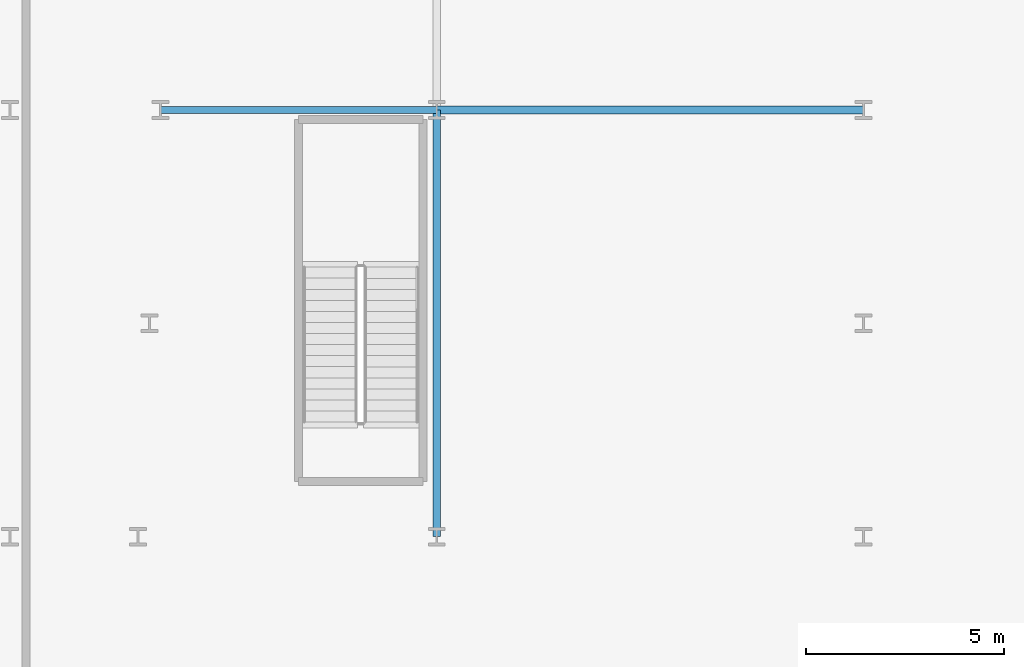
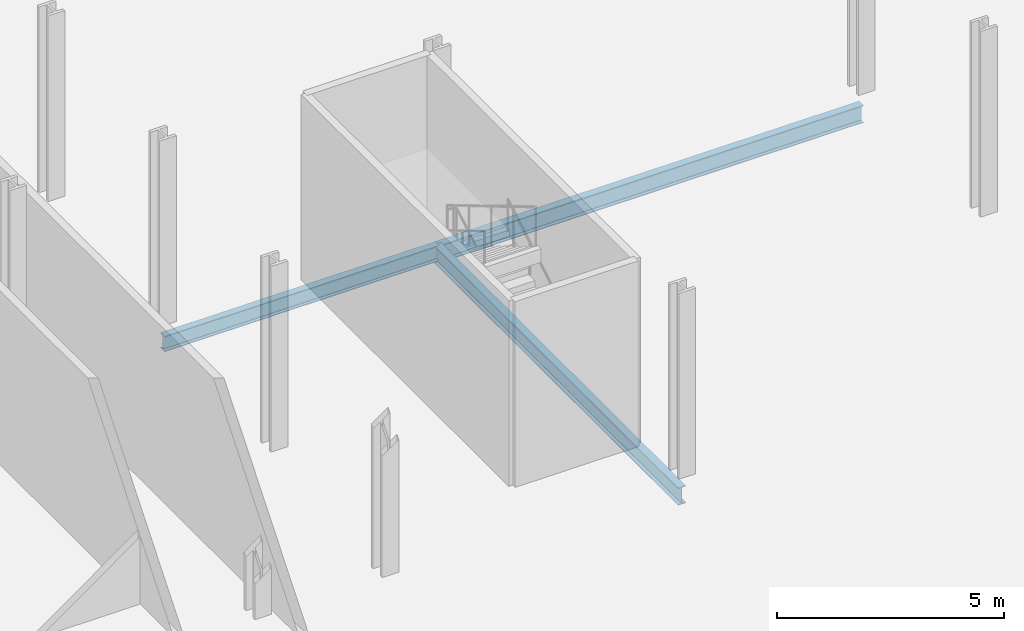
# One storey, part 14 of 47: 3 beams.
"""IFC4 building model written with IfcOpenShell, lengths in metres."""

from ifc_helpers import new_model, si_unit, direction, frame, origin, origin_2d, place, context, subcontext, project, spatial, i_section, extrude, material, material_profile, profile_set, type_object, element, save


model = new_model("IFC4")

# Units and contexts
model_context = context("Model", 3, precision=1e-05, world=origin(), true_north=direction((0.0, 1.0)))
body_context = subcontext(model_context, "Body", "Model", "MODEL_VIEW")
ifc_project = project(units=[si_unit("LENGTHUNIT", "METRE"), si_unit("AREAUNIT", "SQUARE_METRE"), si_unit("VOLUMEUNIT", "CUBIC_METRE"), si_unit("PLANEANGLEUNIT", "RADIAN"), si_unit("MASSUNIT", "GRAM", prefix="KILO")], contexts=[model_context])

# Site, building, storey
site_placement = place(None, origin())
site = spatial("IfcSite", under=ifc_project, at=site_placement, CompositionType="ELEMENT")
building_placement = place(site_placement, origin())
building = spatial("IfcBuilding", under=site, at=building_placement, Name="Kheshtan School and Residences Tower", CompositionType="ELEMENT")
storey_placement = place(building_placement, frame((0.0, 0.0, 7.5)))
storey = spatial("IfcBuildingStorey", under=building, at=storey_placement, Name="L01", CompositionType="ELEMENT", Elevation=7.5)

# Beams
ifc_material = material(Name="Steel ASTM A992 Grade 50", Category="steel")
ifc_material_profile_1 = material_profile(ifc_material, i_section(OverallWidth=0.180908203125, OverallDepth=0.4169921875, WebThickness=0.010986328125, FlangeThickness=0.018310546875, FilletRadius=0.012451171875, at=origin_2d()), Name="W410x85")
ifc_profile_set_1 = profile_set([ifc_material_profile_1], Name="Steel ASTM A992 Grade 50")
beam_type_1 = type_object("IfcBeamType", Name="Beam PB1 W410x85 ASTM A992 Grade 50", PredefinedType="BEAM", material=ifc_profile_set_1)
beam_placement = place(storey_placement, frame((29.81005859375, 88.800048828125, -0.62841796875), z_axis=(1.0, 0.0, 0.0), x_axis=(0.0, 1.0, 0.0)))
element("IfcBeam", 1, at=beam_placement, inside=storey, type_object=beam_type_1, Name="Podium floor beam PB1", PredefinedType="BEAM", context=body_context, shape_type="SweptSolid", body=[
    extrude(i_section(OverallWidth=0.180908203125, OverallDepth=0.4169921875, WebThickness=0.010986328125, FlangeThickness=0.018310546875, FilletRadius=0.012451171875, at=origin_2d()), origin(), (0.0, 0.0, 1.0), 6.989990234375),
])
ifc_material_profile_2 = material_profile(ifc_material, i_section(OverallWidth=0.194091796875, OverallDepth=0.468994140625, WebThickness=0.0126953125, FlangeThickness=0.0205078125, FilletRadius=0.01416015625, at=origin_2d()), Name="W460x106")
ifc_profile_set_2 = profile_set([ifc_material_profile_2], Name="Steel ASTM A992 Grade 50")
beam_type_2 = type_object("IfcBeamType", Name="Beam PB2 W460x106 ASTM A992 Grade 50", PredefinedType="BEAM", material=ifc_profile_set_2)
for number, where, z_axis, x_axis, name in (
    (2, (36.800048828125, 78.0, -0.654541015625), (0.0, 1.0, 0.0), (-1.0, 0.0, 0.0), "Podium floor beam PB2"),
    (3, (36.800048828125, 88.800048828125, -0.654541015625), (1.0, 0.0, 0.0), (0.0, 1.0, 0.0), "Podium floor beam PB2"),
):
    element("IfcBeam", number, at=place(storey_placement, frame(where, z_axis=z_axis, x_axis=x_axis)), inside=storey, type_object=beam_type_2, Name=name, PredefinedType="BEAM", context=body_context, shape_type="SweptSolid", body=[
        extrude(i_section(OverallWidth=0.194091796875, OverallDepth=0.468994140625, WebThickness=0.0126953125, FlangeThickness=0.0205078125, FilletRadius=0.01416015625, at=origin_2d()), origin(), (0.0, 0.0, 1.0), 10.800048828125),
    ])

save(model, "model.ifc")
